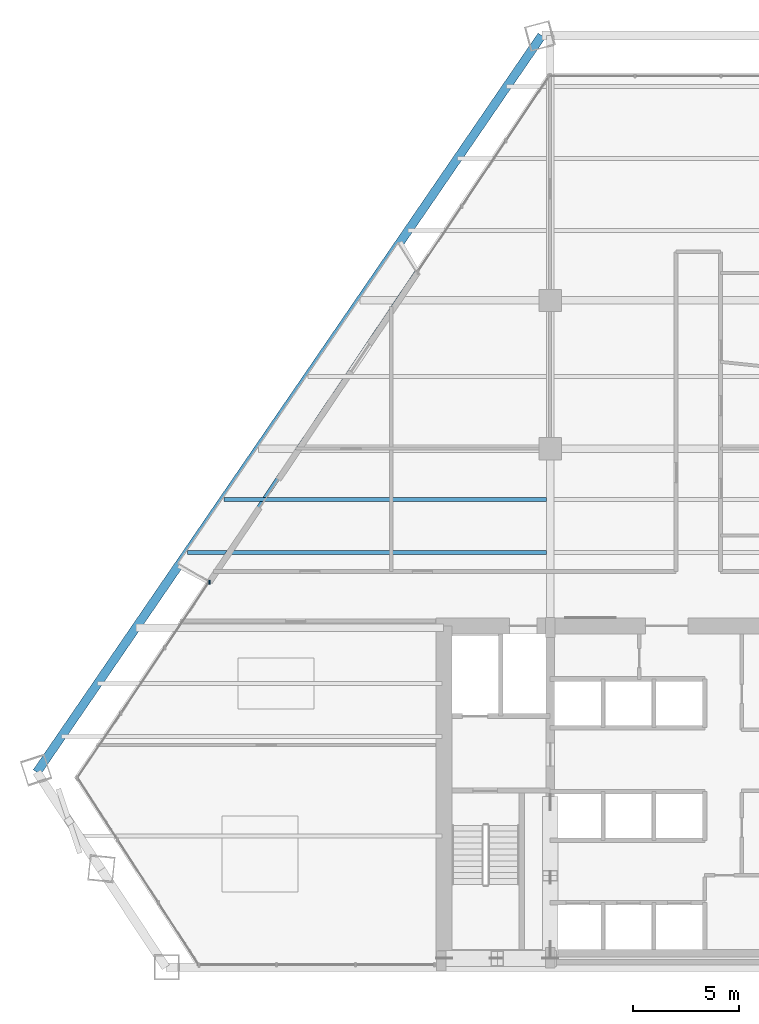
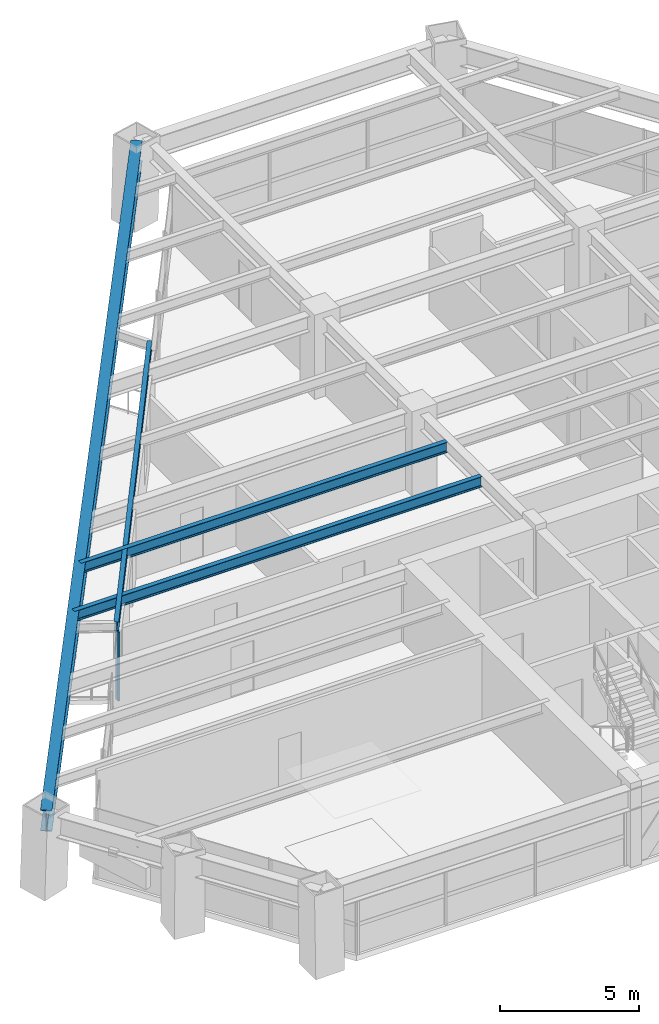
# One storey, part 4 of 14: 4 beams, 1 member, 1 element without a shape of its own.
"""IFC4 building model written with IfcOpenShell, lengths in metres."""

from ifc_helpers import new_model, si_unit, direction, frame, origin, origin_2d, place, context, subcontext, project, spatial, rectangle, i_section, extrude, source, transform, mapped, material, material_profile, profile_set, type_object, element, aggregate, save


model = new_model("IFC4")

# Units and contexts
model_context = context("Model", 3, precision=1e-05, world=origin(), true_north=direction((0.0, 1.0)))
body_context = subcontext(model_context, "Body", "Model", "MODEL_VIEW")
ifc_project = project(units=[si_unit("LENGTHUNIT", "METRE"), si_unit("AREAUNIT", "SQUARE_METRE"), si_unit("VOLUMEUNIT", "CUBIC_METRE"), si_unit("PLANEANGLEUNIT", "RADIAN"), si_unit("MASSUNIT", "GRAM", prefix="KILO")], contexts=[model_context])

# Site, building, storey
site_placement = place(None, origin())
site = spatial("IfcSite", under=ifc_project, at=site_placement, CompositionType="ELEMENT")
building_placement = place(site_placement, origin())
building = spatial("IfcBuilding", under=site, at=building_placement, Name="Varnakhor Terracotta Tower", CompositionType="ELEMENT")
storey_placement = place(building_placement, frame((0.0, 0.0, 95.10009765625)))
storey = spatial("IfcBuildingStorey", under=building, at=storey_placement, Name="L23", CompositionType="ELEMENT", Elevation=95.10009765625)

# Beams
ifc_material_1 = material(Name="Steel S355", Category="steel")
ifc_material_profile_1 = material_profile(ifc_material_1, i_section(OverallWidth=0.41796875, OverallDepth=0.927001953125, WebThickness=0.01904296875, FlangeThickness=0.031982421875, FilletRadius=0.01806640625, at=origin_2d()), Name="W36X231")
ifc_profile_set_1 = profile_set([ifc_material_profile_1], Name="Steel S355")
beam_type_1 = type_object("IfcBeamType", Name="BM-W36X231", PredefinedType="BEAM", material=ifc_profile_set_1)
shared_shape_1 = source(origin(), body_context, "Body", "SweptSolid", [
    extrude(i_section(OverallWidth=0.41796875, OverallDepth=0.927001953125, WebThickness=0.01904296875, FlangeThickness=0.031982421875, FilletRadius=0.01806640625, at=origin_2d()), origin(), (0.0, 0.0, 1.0), 42.191162109375),
])
beam_1_placement = place(storey_placement, frame((-5.897705078125, 44.014404296875, 2.986328125), z_axis=(-0.565328058885, -0.824866162379, 0.0), x_axis=(0.824866162379, -0.565328058885, 0.0)))
element("IfcBeam", 1, at=beam_1_placement, inside=storey, type_object=beam_type_1, Name="L23 Perimeter Spandrel 6", PredefinedType="BEAM", context=body_context, shape_type="MappedRepresentation", body=[
    mapped(shared_shape_1, transform((0.0, 0.0, 0.0), scale=1.0)),
])
ifc_material_profile_2 = material_profile(ifc_material_1, i_section(OverallWidth=0.179931640625, OverallDepth=0.39990234375, WebThickness=0.008544921875, FlangeThickness=0.013427734375, FilletRadius=0.01806640625, at=origin_2d()), Name="IPE400")
ifc_profile_set_2 = profile_set([ifc_material_profile_2], Name="Steel S355")
beam_type_2 = type_object("IfcBeamType", Name="JST-IPE400", PredefinedType="JOIST", material=ifc_profile_set_2)
shared_shape_2 = source(origin(), body_context, "Body", "SweptSolid", [
    extrude(i_section(OverallWidth=0.179931640625, OverallDepth=0.39990234375, WebThickness=0.008544921875, FlangeThickness=0.013427734375, FilletRadius=0.01806640625, at=origin_2d()), origin(), (0.0, 0.0, 1.0), 17.702392578125),
])
beam_2_placement = place(storey_placement, frame((-11.78369140625, 32.894287109375, 3.25), z_axis=(-0.55732309921, -0.830295708219, 0.0), x_axis=(0.830295708219, -0.55732309921, 0.0)))
element("IfcBeam", 2, at=beam_2_placement, inside=storey, type_object=beam_type_2, Name="L23 Loggia Edge Beam 2", PredefinedType="JOIST", context=body_context, shape_type="MappedRepresentation", body=[
    mapped(shared_shape_2, transform((0.0, 0.0, 0.0), scale=1.0)),
])
ifc_material_profile_3 = material_profile(ifc_material_1, i_section(OverallWidth=0.19189453125, OverallDepth=0.462890625, WebThickness=0.010498046875, FlangeThickness=0.017578125, FilletRadius=0.01806640625, at=origin_2d()), Name="W18X60")
ifc_profile_set_3 = profile_set([ifc_material_profile_3], Name="Steel S355")
beam_type_3 = type_object("IfcBeamType", Name="JST-W18X60", PredefinedType="JOIST", material=ifc_profile_set_3)
shared_shape_3 = source(origin(), body_context, "Body", "SweptSolid", [
    extrude(i_section(OverallWidth=0.19189453125, OverallDepth=0.462890625, WebThickness=0.010498046875, FlangeThickness=0.017578125, FilletRadius=0.01806640625, at=origin_2d()), origin(), (0.0, 0.0, 1.0), 16.956787109375),
])
beam_3_placement = place(storey_placement, frame((-22.63037109375, 19.60009765625, 3.218505859375), z_axis=(1.0, 0.0, 0.0), x_axis=(0.0, 1.0, 0.0)))
element("IfcBeam", 3, at=beam_3_placement, inside=storey, type_object=beam_type_3, Name="L23 Composite Floor Joist 4-1", PredefinedType="JOIST", context=body_context, shape_type="MappedRepresentation", body=[
    mapped(shared_shape_3, transform((0.0, 0.0, 0.0), scale=1.0)),
])
shared_shape_4 = source(origin(), body_context, "Body", "SweptSolid", [
    extrude(i_section(OverallWidth=0.19189453125, OverallDepth=0.462890625, WebThickness=0.010498046875, FlangeThickness=0.017578125, FilletRadius=0.01806640625, at=origin_2d()), origin(), (0.0, 0.0, 1.0), 15.243408203125),
])
beam_4_placement = place(storey_placement, frame((-20.9169921875, 22.10009765625, 3.218505859375), z_axis=(1.0, 0.0, 0.0), x_axis=(0.0, 1.0, 0.0)))
element("IfcBeam", 4, at=beam_4_placement, inside=storey, type_object=beam_type_3, Name="L23 Composite Floor Joist 5-1", PredefinedType="JOIST", context=body_context, shape_type="MappedRepresentation", body=[
    mapped(shared_shape_4, transform((0.0, 0.0, 0.0), scale=1.0)),
])

# Curtain wall, member
ifc_material_2 = material(Name="Anodised Aluminium Curtain Wall System", Category="aluminium")
curtain_wall_type = type_object("IfcCurtainWallType", Name="CW-SYS-LOW-OFFICE", PredefinedType="NOTDEFINED", material=ifc_material_2)
curtain_wall_placement = place(storey_placement, origin())
curtain_wall = element("IfcCurtainWall", 5, at=curtain_wall_placement, inside=storey, type_object=curtain_wall_type, Name="L23 W Facet Curtain Wall 1", PredefinedType="NOTDEFINED")
ifc_material_3 = material(Name="Anodised Aluminium 6063-T6", Category="aluminium")
ifc_material_profile_4 = material_profile(ifc_material_3, rectangle(XDim=0.074951171875, YDim=0.18505859375, at=origin_2d()), Name="ALU MULLION 75x185")
ifc_profile_set_4 = profile_set([ifc_material_profile_4], Name="Anodised Aluminium 6063-T6")
member_type = type_object("IfcMemberType", Name="CWM-02", PredefinedType="MULLION", material=ifc_profile_set_4)
shared_shape_5 = source(origin(), body_context, "Body", "SweptSolid", [
    extrude(rectangle(XDim=0.074951171875, YDim=0.18505859375, at=origin_2d()), origin(), (0.0, 0.0, 1.0), 3.02978515625),
])
member_placement = place(storey_placement, frame((-21.593017578125, 18.1982421875, 0.0), z_axis=(0.0, 0.0, 1.0), x_axis=(1.0, 0.0, 0.0)))
member = element("IfcMember", 6, at=member_placement, type_object=member_type, Name="L23 W Loggia Jamb Closure Mullion 1", PredefinedType="MULLION", context=body_context, shape_type="MappedRepresentation", body=[
    mapped(shared_shape_5, transform((0.0, 0.0, 0.0), scale=1.0)),
])
aggregate(curtain_wall, [member])

save(model, "model.ifc")
